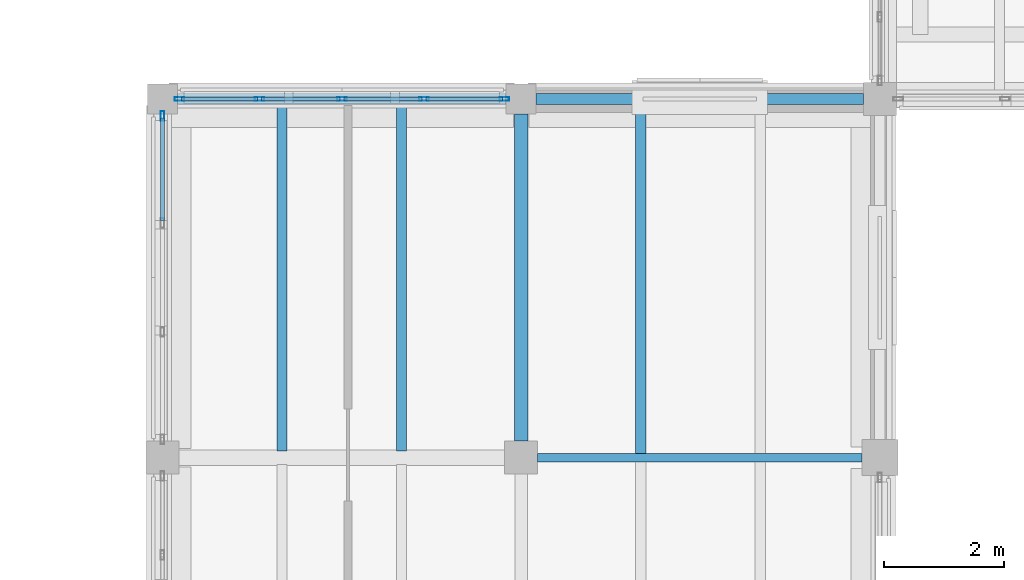
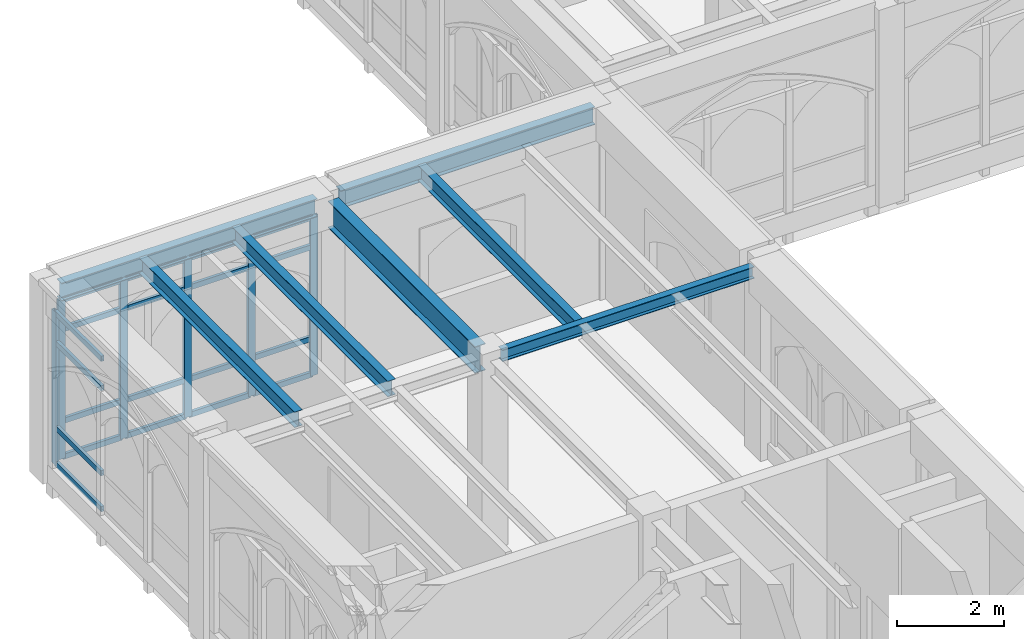
# One storey, part 19 of 143: 26 members, 7 beams, 2 elements without a shape of their own.
"""IFC4 building model written with IfcOpenShell, lengths in metres."""

from ifc_helpers import new_model, si_unit, direction, frame, origin, origin_2d, place, context, subcontext, project, spatial, hollow_rectangle, i_section, extrude, material, layer, layer_set, material_profile, profile_set, type_object, element, aggregate, save


model = new_model("IFC4")

# Units and contexts
model_context = context("Model", 3, precision=1e-05, world=origin(), true_north=direction((0.0, 1.0)))
body_context = subcontext(model_context, "Body", "Model", "MODEL_VIEW")
ifc_project = project(units=[si_unit("LENGTHUNIT", "METRE"), si_unit("AREAUNIT", "SQUARE_METRE"), si_unit("VOLUMEUNIT", "CUBIC_METRE"), si_unit("PLANEANGLEUNIT", "RADIAN"), si_unit("MASSUNIT", "GRAM", prefix="KILO")], contexts=[model_context])

# Site, building, storey
site_placement = place(None, origin())
site = spatial("IfcSite", under=ifc_project, at=site_placement, CompositionType="ELEMENT")
building_placement = place(site_placement, origin())
building = spatial("IfcBuilding", under=site, at=building_placement, Name="Cumevento Cable Car Station", CompositionType="ELEMENT")
storey_placement = place(building_placement, frame((0.0, 0.0, 9.0)))
storey = spatial("IfcBuildingStorey", under=building, at=storey_placement, Name="L03", CompositionType="ELEMENT", Elevation=9.0)

# Curtain wall, members
ifc_material_1 = material(Name="Anodised Bronze Aluminium AW-6063-T6", Category="aluminium")
ifc_layer_1 = layer(ifc_material_1, 0.219970703125)
ifc_layer_set_1 = layer_set([ifc_layer_1], Name="Anodised Bronze Aluminium AW-6063-T6")
curtain_wall_type_1 = type_object("IfcCurtainWallType", Name="Lancet Curtain Wall CW-11 1450", PredefinedType="NOTDEFINED", material=ifc_layer_set_1)
curtain_wall_1_placement = place(storey_placement, origin())
curtain_wall_1 = element("IfcCurtainWall", 1, at=curtain_wall_1_placement, inside=storey, type_object=curtain_wall_type_1, Name="Lancet Curtain Wall CW-11 L03 #90", PredefinedType="NOTDEFINED")
ifc_material_2 = material(Name="Anodised Bronze Aluminium AW-6063-T6", Category="aluminium")
ifc_material_profile_1 = material_profile(ifc_material_2, hollow_rectangle(XDim=0.06494140625, YDim=0.159912109375, WallThickness=0.00390625, at=origin_2d()), Name="ALUM65x160x4")
ifc_profile_set_1 = profile_set([ifc_material_profile_1], Name="Anodised Bronze Aluminium AW-6063-T6")
member_type_1 = type_object("IfcMemberType", Name="Curtain Mullion CWM-01 ALUM65x160x4", PredefinedType="MULLION", material=ifc_profile_set_1)
member_1_placement = place(storey_placement, frame((10.282470703125, 45.0, 0.260009765625), z_axis=(0.0, 0.0, 1.0), x_axis=(0.0, 1.0, 0.0)))
member_1 = element("IfcMember", 2, at=member_1_placement, type_object=member_type_1, Name="CW-11 mullion 1", PredefinedType="MULLION", context=body_context, shape_type="SweptSolid", body=[
    extrude(hollow_rectangle(XDim=0.06494140625, YDim=0.159912109375, WallThickness=0.00390625, at=origin_2d()), origin(), (0.0, 0.0, 1.0), 3.633056640625),
])
member_2_placement = place(storey_placement, frame((11.625, 45.0, 0.260009765625), z_axis=(0.0, 0.0, 1.0), x_axis=(0.0, 1.0, 0.0)))
member_2 = element("IfcMember", 3, at=member_2_placement, type_object=member_type_1, Name="CW-11 mullion 2", PredefinedType="MULLION", context=body_context, shape_type="SweptSolid", body=[
    extrude(hollow_rectangle(XDim=0.06494140625, YDim=0.159912109375, WallThickness=0.00390625, at=origin_2d()), origin(), (0.0, 0.0, 1.0), 3.633056640625),
])
member_3_placement = place(storey_placement, frame((13.0, 45.0, 0.260009765625), z_axis=(0.0, 0.0, 1.0), x_axis=(0.0, 1.0, 0.0)))
member_3 = element("IfcMember", 4, at=member_3_placement, type_object=member_type_1, Name="CW-11 mullion 3", PredefinedType="MULLION", context=body_context, shape_type="SweptSolid", body=[
    extrude(hollow_rectangle(XDim=0.06494140625, YDim=0.159912109375, WallThickness=0.00390625, at=origin_2d()), origin(), (0.0, 0.0, 1.0), 3.633056640625),
])
member_4_placement = place(storey_placement, frame((14.375, 45.0, 0.260009765625), z_axis=(0.0, 0.0, 1.0), x_axis=(0.0, 1.0, 0.0)))
member_4 = element("IfcMember", 5, at=member_4_placement, type_object=member_type_1, Name="CW-11 mullion 4", PredefinedType="MULLION", context=body_context, shape_type="SweptSolid", body=[
    extrude(hollow_rectangle(XDim=0.06494140625, YDim=0.159912109375, WallThickness=0.00390625, at=origin_2d()), origin(), (0.0, 0.0, 1.0), 3.633056640625),
])
member_5_placement = place(storey_placement, frame((15.717529296875, 45.0, 0.260009765625), z_axis=(0.0, 0.0, 1.0), x_axis=(0.0, 1.0, 0.0)))
member_5 = element("IfcMember", 6, at=member_5_placement, type_object=member_type_1, Name="CW-11 mullion 5", PredefinedType="MULLION", context=body_context, shape_type="SweptSolid", body=[
    extrude(hollow_rectangle(XDim=0.06494140625, YDim=0.159912109375, WallThickness=0.00390625, at=origin_2d()), origin(), (0.0, 0.0, 1.0), 3.633056640625),
])

# Curtain wall, member
ifc_material_3 = material(Name="Anodised Bronze Aluminium AW-6063-T6", Category="aluminium")
ifc_layer_2 = layer(ifc_material_3, 0.238037109375)
ifc_layer_set_2 = layer_set([ifc_layer_2], Name="Anodised Bronze Aluminium AW-6063-T6")
curtain_wall_type_2 = type_object("IfcCurtainWallType", Name="Lancet Curtain Wall CW-14 1570", PredefinedType="NOTDEFINED", material=ifc_layer_set_2)
curtain_wall_2_placement = place(storey_placement, origin())
curtain_wall_2 = element("IfcCurtainWall", 7, at=curtain_wall_2_placement, inside=storey, type_object=curtain_wall_type_2, Name="Lancet Curtain Wall CW-14 L03 #93", PredefinedType="NOTDEFINED")
member_6_placement = place(storey_placement, frame((10.0, 44.717529296875, 0.409912109375), z_axis=(0.0, 0.0, 1.0), x_axis=(-1.0, 0.0, 0.0)))
member_6 = element("IfcMember", 8, at=member_6_placement, type_object=member_type_1, Name="CW-14 mullion 4", PredefinedType="MULLION", context=body_context, shape_type="SweptSolid", body=[
    extrude(hollow_rectangle(XDim=0.06494140625, YDim=0.159912109375, WallThickness=0.00390625, at=origin_2d()), origin(), (0.0, 0.0, 1.0), 3.483154296875),
])

# Member
ifc_material_4 = material(Name="Anodised Bronze Aluminium AW-6063-T6", Category="aluminium")
ifc_material_profile_2 = material_profile(ifc_material_4, hollow_rectangle(XDim=0.06494140625, YDim=0.1201171875, WallThickness=0.00390625, at=origin_2d()), Name="ALUT65x120x4")
ifc_profile_set_2 = profile_set([ifc_material_profile_2], Name="Anodised Bronze Aluminium AW-6063-T6")
member_type_2 = type_object("IfcMemberType", Name="Curtain Transom CWT-01 ALUT65x120x4", PredefinedType="USERDEFINED", material=ifc_profile_set_2)
member_7_placement = place(storey_placement, frame((10.31494140625, 45.0, 0.29248046875), z_axis=(1.0, 0.0, 0.0), x_axis=(0.0, 1.0, 0.0)))
member_7 = element("IfcMember", 9, at=member_7_placement, type_object=member_type_2, Name="CW-11 transom 1.1", ObjectType="TRANSOM", PredefinedType="USERDEFINED", context=body_context, shape_type="SweptSolid", body=[
    extrude(hollow_rectangle(XDim=0.06494140625, YDim=0.1201171875, WallThickness=0.00390625, at=origin_2d()), origin(), (0.0, 0.0, 1.0), 1.277587890625),
])

member_8_placement = place(storey_placement, frame((10.31494140625, 45.0, 1.110107421875), z_axis=(1.0, 0.0, 0.0), x_axis=(0.0, 1.0, 0.0)))
member_8 = element("IfcMember", 10, at=member_8_placement, type_object=member_type_2, Name="CW-11 transom 1.2", ObjectType="TRANSOM", PredefinedType="USERDEFINED", context=body_context, shape_type="SweptSolid", body=[
    extrude(hollow_rectangle(XDim=0.06494140625, YDim=0.1201171875, WallThickness=0.00390625, at=origin_2d()), origin(), (0.0, 0.0, 1.0), 1.277587890625),
])

member_9_placement = place(storey_placement, frame((10.31494140625, 45.0, 3.193115234375), z_axis=(1.0, 0.0, 0.0), x_axis=(0.0, 1.0, 0.0)))
member_9 = element("IfcMember", 11, at=member_9_placement, type_object=member_type_2, Name="CW-11 transom 1.3", ObjectType="TRANSOM", PredefinedType="USERDEFINED", context=body_context, shape_type="SweptSolid", body=[
    extrude(hollow_rectangle(XDim=0.06494140625, YDim=0.1201171875, WallThickness=0.00390625, at=origin_2d()), origin(), (0.0, 0.0, 1.0), 1.277587890625),
])

member_10_placement = place(storey_placement, frame((10.31494140625, 45.0, 3.860595703125), z_axis=(1.0, 0.0, 0.0), x_axis=(0.0, 1.0, 0.0)))
member_10 = element("IfcMember", 12, at=member_10_placement, type_object=member_type_2, Name="CW-11 transom 1.4", ObjectType="TRANSOM", PredefinedType="USERDEFINED", context=body_context, shape_type="SweptSolid", body=[
    extrude(hollow_rectangle(XDim=0.06494140625, YDim=0.1201171875, WallThickness=0.00390625, at=origin_2d()), origin(), (0.0, 0.0, 1.0), 1.277587890625),
])

member_11_placement = place(storey_placement, frame((11.657470703125, 45.0, 0.29248046875), z_axis=(1.0, 0.0, 0.0), x_axis=(0.0, 1.0, 0.0)))
member_11 = element("IfcMember", 13, at=member_11_placement, type_object=member_type_2, Name="CW-11 transom 2.1", ObjectType="TRANSOM", PredefinedType="USERDEFINED", context=body_context, shape_type="SweptSolid", body=[
    extrude(hollow_rectangle(XDim=0.06494140625, YDim=0.1201171875, WallThickness=0.00390625, at=origin_2d()), origin(), (0.0, 0.0, 1.0), 1.31005859375),
])

member_12_placement = place(storey_placement, frame((11.657470703125, 45.0, 1.110107421875), z_axis=(1.0, 0.0, 0.0), x_axis=(0.0, 1.0, 0.0)))
member_12 = element("IfcMember", 14, at=member_12_placement, type_object=member_type_2, Name="CW-11 transom 2.2", ObjectType="TRANSOM", PredefinedType="USERDEFINED", context=body_context, shape_type="SweptSolid", body=[
    extrude(hollow_rectangle(XDim=0.06494140625, YDim=0.1201171875, WallThickness=0.00390625, at=origin_2d()), origin(), (0.0, 0.0, 1.0), 1.31005859375),
])

member_13_placement = place(storey_placement, frame((11.657470703125, 45.0, 3.193115234375), z_axis=(1.0, 0.0, 0.0), x_axis=(0.0, 1.0, 0.0)))
member_13 = element("IfcMember", 15, at=member_13_placement, type_object=member_type_2, Name="CW-11 transom 2.3", ObjectType="TRANSOM", PredefinedType="USERDEFINED", context=body_context, shape_type="SweptSolid", body=[
    extrude(hollow_rectangle(XDim=0.06494140625, YDim=0.1201171875, WallThickness=0.00390625, at=origin_2d()), origin(), (0.0, 0.0, 1.0), 1.31005859375),
])

member_14_placement = place(storey_placement, frame((11.657470703125, 45.0, 3.860595703125), z_axis=(1.0, 0.0, 0.0), x_axis=(0.0, 1.0, 0.0)))
member_14 = element("IfcMember", 16, at=member_14_placement, type_object=member_type_2, Name="CW-11 transom 2.4", ObjectType="TRANSOM", PredefinedType="USERDEFINED", context=body_context, shape_type="SweptSolid", body=[
    extrude(hollow_rectangle(XDim=0.06494140625, YDim=0.1201171875, WallThickness=0.00390625, at=origin_2d()), origin(), (0.0, 0.0, 1.0), 1.31005859375),
])

member_15_placement = place(storey_placement, frame((13.032470703125, 45.0, 0.29248046875), z_axis=(1.0, 0.0, 0.0), x_axis=(0.0, 1.0, 0.0)))
member_15 = element("IfcMember", 17, at=member_15_placement, type_object=member_type_2, Name="CW-11 transom 3.1", ObjectType="TRANSOM", PredefinedType="USERDEFINED", context=body_context, shape_type="SweptSolid", body=[
    extrude(hollow_rectangle(XDim=0.06494140625, YDim=0.1201171875, WallThickness=0.00390625, at=origin_2d()), origin(), (0.0, 0.0, 1.0), 1.31005859375),
])

member_16_placement = place(storey_placement, frame((13.032470703125, 45.0, 1.110107421875), z_axis=(1.0, 0.0, 0.0), x_axis=(0.0, 1.0, 0.0)))
member_16 = element("IfcMember", 18, at=member_16_placement, type_object=member_type_2, Name="CW-11 transom 3.2", ObjectType="TRANSOM", PredefinedType="USERDEFINED", context=body_context, shape_type="SweptSolid", body=[
    extrude(hollow_rectangle(XDim=0.06494140625, YDim=0.1201171875, WallThickness=0.00390625, at=origin_2d()), origin(), (0.0, 0.0, 1.0), 1.31005859375),
])

member_17_placement = place(storey_placement, frame((13.032470703125, 45.0, 3.193115234375), z_axis=(1.0, 0.0, 0.0), x_axis=(0.0, 1.0, 0.0)))
member_17 = element("IfcMember", 19, at=member_17_placement, type_object=member_type_2, Name="CW-11 transom 3.3", ObjectType="TRANSOM", PredefinedType="USERDEFINED", context=body_context, shape_type="SweptSolid", body=[
    extrude(hollow_rectangle(XDim=0.06494140625, YDim=0.1201171875, WallThickness=0.00390625, at=origin_2d()), origin(), (0.0, 0.0, 1.0), 1.31005859375),
])

member_18_placement = place(storey_placement, frame((13.032470703125, 45.0, 3.860595703125), z_axis=(1.0, 0.0, 0.0), x_axis=(0.0, 1.0, 0.0)))
member_18 = element("IfcMember", 20, at=member_18_placement, type_object=member_type_2, Name="CW-11 transom 3.4", ObjectType="TRANSOM", PredefinedType="USERDEFINED", context=body_context, shape_type="SweptSolid", body=[
    extrude(hollow_rectangle(XDim=0.06494140625, YDim=0.1201171875, WallThickness=0.00390625, at=origin_2d()), origin(), (0.0, 0.0, 1.0), 1.31005859375),
])

member_19_placement = place(storey_placement, frame((14.407470703125, 45.0, 0.29248046875), z_axis=(1.0, 0.0, 0.0), x_axis=(0.0, 1.0, 0.0)))
member_19 = element("IfcMember", 21, at=member_19_placement, type_object=member_type_2, Name="CW-11 transom 4.1", ObjectType="TRANSOM", PredefinedType="USERDEFINED", context=body_context, shape_type="SweptSolid", body=[
    extrude(hollow_rectangle(XDim=0.06494140625, YDim=0.1201171875, WallThickness=0.00390625, at=origin_2d()), origin(), (0.0, 0.0, 1.0), 1.277587890625),
])

member_20_placement = place(storey_placement, frame((14.407470703125, 45.0, 1.110107421875), z_axis=(1.0, 0.0, 0.0), x_axis=(0.0, 1.0, 0.0)))
member_20 = element("IfcMember", 22, at=member_20_placement, type_object=member_type_2, Name="CW-11 transom 4.2", ObjectType="TRANSOM", PredefinedType="USERDEFINED", context=body_context, shape_type="SweptSolid", body=[
    extrude(hollow_rectangle(XDim=0.06494140625, YDim=0.1201171875, WallThickness=0.00390625, at=origin_2d()), origin(), (0.0, 0.0, 1.0), 1.277587890625),
])

member_21_placement = place(storey_placement, frame((14.407470703125, 45.0, 3.193115234375), z_axis=(1.0, 0.0, 0.0), x_axis=(0.0, 1.0, 0.0)))
member_21 = element("IfcMember", 23, at=member_21_placement, type_object=member_type_2, Name="CW-11 transom 4.3", ObjectType="TRANSOM", PredefinedType="USERDEFINED", context=body_context, shape_type="SweptSolid", body=[
    extrude(hollow_rectangle(XDim=0.06494140625, YDim=0.1201171875, WallThickness=0.00390625, at=origin_2d()), origin(), (0.0, 0.0, 1.0), 1.277587890625),
])

member_22_placement = place(storey_placement, frame((14.407470703125, 45.0, 3.860595703125), z_axis=(1.0, 0.0, 0.0), x_axis=(0.0, 1.0, 0.0)))
member_22 = element("IfcMember", 24, at=member_22_placement, type_object=member_type_2, Name="CW-11 transom 4.4", ObjectType="TRANSOM", PredefinedType="USERDEFINED", context=body_context, shape_type="SweptSolid", body=[
    extrude(hollow_rectangle(XDim=0.06494140625, YDim=0.1201171875, WallThickness=0.00390625, at=origin_2d()), origin(), (0.0, 0.0, 1.0), 1.277587890625),
])

aggregate(curtain_wall_1, [member_1, member_2, member_3, member_4, member_5, member_7, member_8, member_9, member_10, member_11, member_12, member_13, member_14, member_15, member_16, member_17, member_18, member_19, member_20, member_21, member_22])

member_23_placement = place(storey_placement, frame((10.0, 42.95751953125, 0.4423828125), z_axis=(0.0, 1.0, 0.0), x_axis=(-1.0, 0.0, 0.0)))
member_23 = element("IfcMember", 25, at=member_23_placement, type_object=member_type_2, Name="CW-14 transom 3.1", ObjectType="TRANSOM", PredefinedType="USERDEFINED", context=body_context, shape_type="SweptSolid", body=[
    extrude(hollow_rectangle(XDim=0.06494140625, YDim=0.1201171875, WallThickness=0.00390625, at=origin_2d()), origin(), (0.0, 0.0, 1.0), 1.7275390625),
])

member_24_placement = place(storey_placement, frame((10.0, 42.95751953125, 1.260009765625), z_axis=(0.0, 1.0, 0.0), x_axis=(-1.0, 0.0, 0.0)))
member_24 = element("IfcMember", 26, at=member_24_placement, type_object=member_type_2, Name="CW-14 transom 3.2", ObjectType="TRANSOM", PredefinedType="USERDEFINED", context=body_context, shape_type="SweptSolid", body=[
    extrude(hollow_rectangle(XDim=0.06494140625, YDim=0.1201171875, WallThickness=0.00390625, at=origin_2d()), origin(), (0.0, 0.0, 1.0), 1.7275390625),
])

member_25_placement = place(storey_placement, frame((10.0, 42.95751953125, 3.193115234375), z_axis=(0.0, 1.0, 0.0), x_axis=(-1.0, 0.0, 0.0)))
member_25 = element("IfcMember", 27, at=member_25_placement, type_object=member_type_2, Name="CW-14 transom 3.3", ObjectType="TRANSOM", PredefinedType="USERDEFINED", context=body_context, shape_type="SweptSolid", body=[
    extrude(hollow_rectangle(XDim=0.06494140625, YDim=0.1201171875, WallThickness=0.00390625, at=origin_2d()), origin(), (0.0, 0.0, 1.0), 1.7275390625),
])

member_26_placement = place(storey_placement, frame((10.0, 42.95751953125, 3.860595703125), z_axis=(0.0, 1.0, 0.0), x_axis=(-1.0, 0.0, 0.0)))
member_26 = element("IfcMember", 28, at=member_26_placement, type_object=member_type_2, Name="CW-14 transom 3.4", ObjectType="TRANSOM", PredefinedType="USERDEFINED", context=body_context, shape_type="SweptSolid", body=[
    extrude(hollow_rectangle(XDim=0.06494140625, YDim=0.1201171875, WallThickness=0.00390625, at=origin_2d()), origin(), (0.0, 0.0, 1.0), 1.7275390625),
])

aggregate(curtain_wall_2, [member_6, member_23, member_24, member_25, member_26])

# Beams
ifc_material_5 = material(Name="Steel ASTM A572 Grade 50", Category="steel")
ifc_material_profile_3 = material_profile(ifc_material_5, i_section(OverallWidth=0.22802734375, OverallDepth=0.60791015625, WebThickness=0.01123046875, FlangeThickness=0.017333984375, at=origin_2d()), Name="W610x113.0")
ifc_profile_set_3 = profile_set([ifc_material_profile_3], Name="Steel ASTM A572 Grade 50")
beam_type_1 = type_object("IfcBeamType", Name="Structural Beam BM-02 W610x113.0", PredefinedType="BEAM", material=ifc_profile_set_3)
beam_1_placement = place(storey_placement, frame((16.0, 39.27490234375, 3.99609375), z_axis=(0.0, 1.0, 0.0), x_axis=(-1.0, 0.0, 0.0)))
element("IfcBeam", 29, at=beam_1_placement, inside=storey, type_object=beam_type_1, Name="Beam BM-02 L03 #1018", PredefinedType="BEAM", context=body_context, shape_type="SweptSolid", body=[
    extrude(i_section(OverallWidth=0.22802734375, OverallDepth=0.60791015625, WebThickness=0.01123046875, FlangeThickness=0.017333984375, at=origin_2d()), origin(), (0.0, 0.0, 1.0), 5.47509765625),
])
ifc_material_6 = material(Name="Steel ASTM A572 Grade 50", Category="steel")
ifc_material_profile_4 = material_profile(ifc_material_6, i_section(OverallWidth=0.14794921875, OverallDepth=0.26611328125, WebThickness=0.007568359375, FlangeThickness=0.012939453125, at=origin_2d()), Name="W250x44.8")
ifc_profile_set_4 = profile_set([ifc_material_profile_4], Name="Steel ASTM A572 Grade 50")
beam_type_2 = type_object("IfcBeamType", Name="Structural Beam BM-07 W250x44.8", PredefinedType="BEAM", material=ifc_profile_set_4)
beam_2_placement = place(storey_placement, frame((16.27490234375, 39.0, 4.1669921875), z_axis=(1.0, 0.0, 0.0), x_axis=(0.0, 1.0, 0.0)))
element("IfcBeam", 30, at=beam_2_placement, inside=storey, type_object=beam_type_2, Name="Beam BM-07 L03 #1012", PredefinedType="BEAM", context=body_context, shape_type="SweptSolid", body=[
    extrude(i_section(OverallWidth=0.14794921875, OverallDepth=0.26611328125, WebThickness=0.007568359375, FlangeThickness=0.012939453125, at=origin_2d()), origin(), (0.0, 0.0, 1.0), 5.425048828125),
])
ifc_material_7 = material(Name="Steel ASTM A572 Grade 50", Category="steel")
ifc_material_profile_5 = material_profile(ifc_material_7, i_section(OverallWidth=0.1708984375, OverallDepth=0.35498046875, WebThickness=0.007080078125, FlangeThickness=0.01171875, at=origin_2d()), Name="W360x51.0")
ifc_profile_set_5 = profile_set([ifc_material_profile_5], Name="Steel ASTM A572 Grade 50")
beam_type_3 = type_object("IfcBeamType", Name="Structural Joist JS-01 W360x51.0", PredefinedType="JOIST", material=ifc_profile_set_5)
for number, where, z_axis, x_axis, name in (
    (31, (12.0, 39.114990234375, 4.12255859375), (0.0, 1.0, 0.0), (-1.0, 0.0, 0.0), "Composite Floor Joist JS-01 L03 #1211"),
    (32, (14.0, 39.114990234375, 4.12255859375), (0.0, 1.0, 0.0), (-1.0, 0.0, 0.0), "Composite Floor Joist JS-01 L03 #1213"),
):
    element("IfcBeam", number, at=place(storey_placement, frame(where, z_axis=z_axis, x_axis=x_axis)), inside=storey, type_object=beam_type_3, Name=name, PredefinedType="JOIST", context=body_context, shape_type="SweptSolid", body=[
        extrude(i_section(OverallWidth=0.1708984375, OverallDepth=0.35498046875, WebThickness=0.007080078125, FlangeThickness=0.01171875, at=origin_2d()), origin(), (0.0, 0.0, 1.0), 5.80810546875),
    ])
beam_3_placement = place(storey_placement, frame((18.0, 39.06201171875, 4.12255859375), z_axis=(0.0, 1.0, 0.0), x_axis=(-1.0, 0.0, 0.0)))
element("IfcBeam", 33, at=beam_3_placement, inside=storey, type_object=beam_type_3, Name="Composite Floor Joist JS-01 L03 #1215", PredefinedType="JOIST", context=body_context, shape_type="SweptSolid", body=[
    extrude(i_section(OverallWidth=0.1708984375, OverallDepth=0.35498046875, WebThickness=0.007080078125, FlangeThickness=0.01171875, at=origin_2d()), origin(), (0.0, 0.0, 1.0), 5.861083984375),
])
ifc_material_8 = material(Name="Steel ASTM A572 Grade 50", Category="steel")
ifc_material_profile_6 = material_profile(ifc_material_8, i_section(OverallWidth=0.177978515625, OverallDepth=0.406982421875, WebThickness=0.0078125, FlangeThickness=0.0126953125, at=origin_2d()), Name="W410x60.0")
ifc_profile_set_6 = profile_set([ifc_material_profile_6], Name="Steel ASTM A572 Grade 50")
beam_type_4 = type_object("IfcBeamType", Name="Structural Spandrel SP-01 W410x60.0", PredefinedType="SPANDREL", material=ifc_profile_set_6)
beam_4_placement = place(storey_placement, frame((10.25, 45.0, 4.096435546875), z_axis=(1.0, 0.0, 0.0), x_axis=(0.0, 1.0, 0.0)))
element("IfcBeam", 34, at=beam_4_placement, inside=storey, type_object=beam_type_4, Name="Beam SP-01 L03 #1013", PredefinedType="SPANDREL", context=body_context, shape_type="SweptSolid", body=[
    extrude(i_section(OverallWidth=0.177978515625, OverallDepth=0.406982421875, WebThickness=0.0078125, FlangeThickness=0.0126953125, at=origin_2d()), origin(), (0.0, 0.0, 1.0), 5.5),
])
beam_5_placement = place(storey_placement, frame((16.25, 45.0, 4.096435546875), z_axis=(1.0, 0.0, 0.0), x_axis=(0.0, 1.0, 0.0)))
element("IfcBeam", 35, at=beam_5_placement, inside=storey, type_object=beam_type_4, Name="Beam SP-01 L03 #1014", PredefinedType="SPANDREL", context=body_context, shape_type="SweptSolid", body=[
    extrude(i_section(OverallWidth=0.177978515625, OverallDepth=0.406982421875, WebThickness=0.0078125, FlangeThickness=0.0126953125, at=origin_2d()), origin(), (0.0, 0.0, 1.0), 5.47509765625),
])

save(model, "model.ifc")
